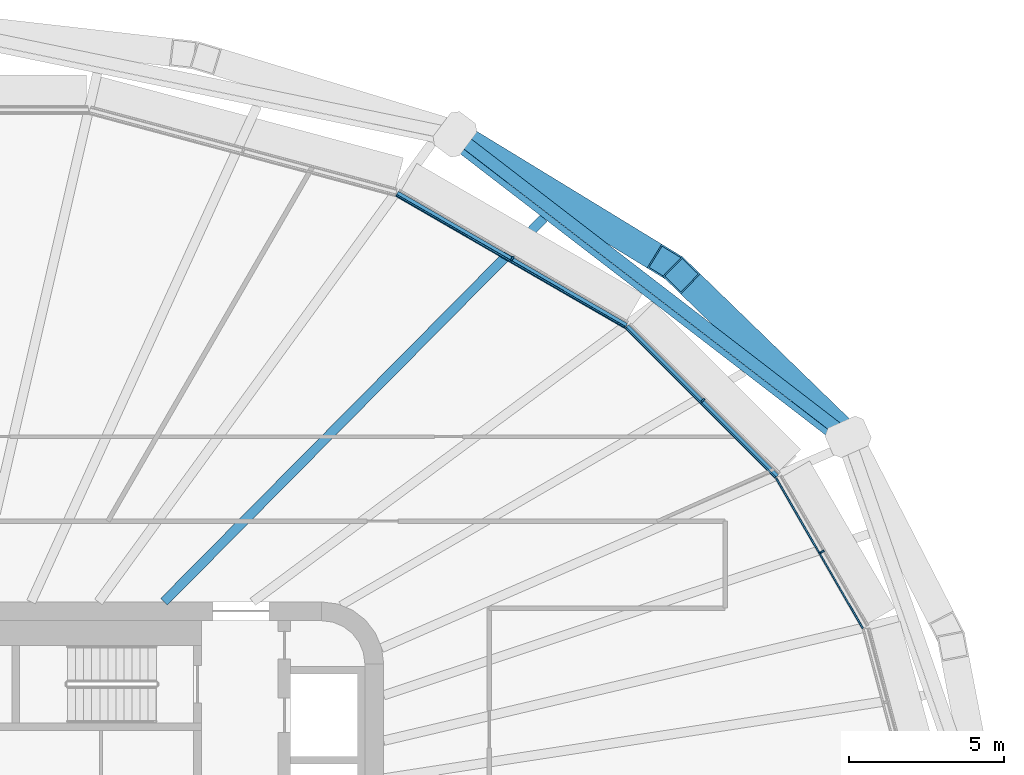
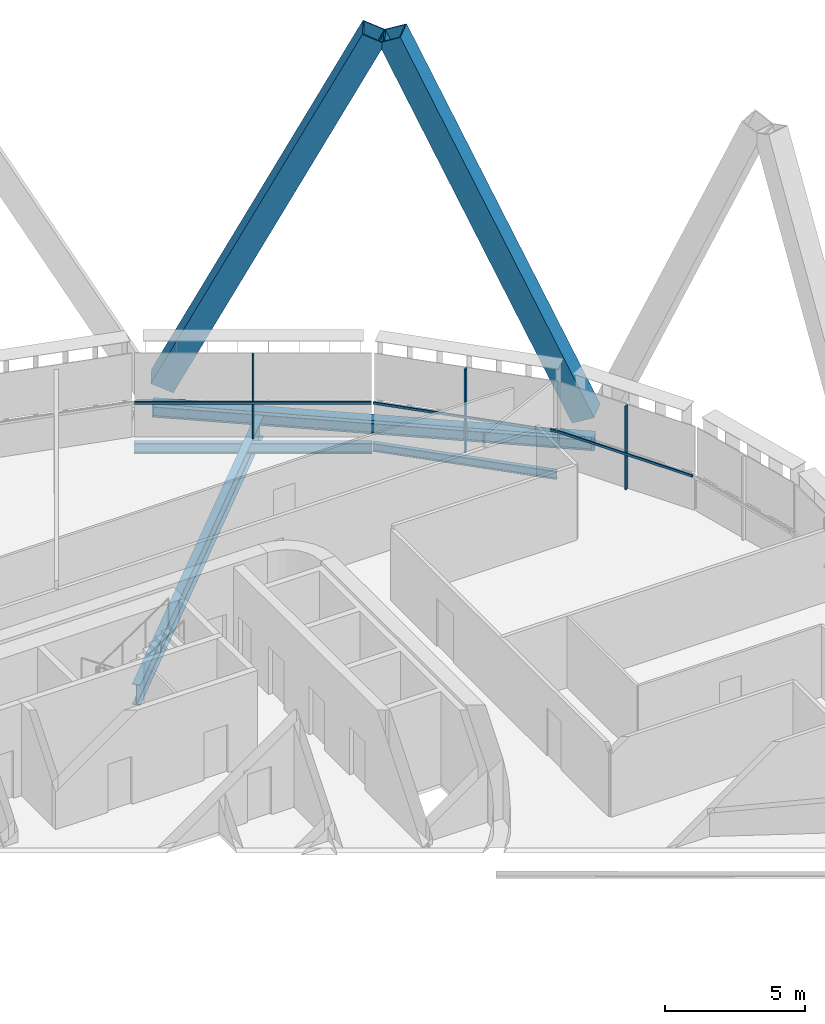
# One storey, part 10 of 25: 8 members, 5 beams, 3 elements without a shape of their own.
"""IFC4 building model written with IfcOpenShell, lengths in metres."""

from ifc_helpers import new_model, si_unit, direction, frame, origin, origin_2d, place, context, subcontext, project, spatial, rectangle, hollow_rectangle, i_section, extrude, material, layer, layer_set, material_profile, profile_set, type_object, element, aggregate, save


model = new_model("IFC4")

# Units and contexts
model_context = context("Model", 3, precision=1e-05, world=origin(), true_north=direction((0.0, 1.0)))
body_context = subcontext(model_context, "Body", "Model", "MODEL_VIEW")
ifc_project = project(units=[si_unit("LENGTHUNIT", "METRE"), si_unit("AREAUNIT", "SQUARE_METRE"), si_unit("VOLUMEUNIT", "CUBIC_METRE"), si_unit("PLANEANGLEUNIT", "RADIAN"), si_unit("MASSUNIT", "GRAM", prefix="KILO")], contexts=[model_context])

# Site, building, storey
site_placement = place(None, origin())
site = spatial("IfcSite", under=ifc_project, at=site_placement, CompositionType="ELEMENT")
building_placement = place(site_placement, origin())
building = spatial("IfcBuilding", under=site, at=building_placement, Name="Sahrelin Media Tower", CompositionType="ELEMENT")
storey_placement = place(building_placement, frame((0.0, 0.0, 114.60009765625)))
storey = spatial("IfcBuildingStorey", under=building, at=storey_placement, Name="L22", CompositionType="ELEMENT", Elevation=114.60009765625)

# Members
ifc_material_1 = material(Name="Steel S460", Category="steel")
ifc_material_profile_1 = material_profile(ifc_material_1, hollow_rectangle(XDim=0.89990234375, YDim=0.89990234375, WallThickness=0.050048828125, at=origin_2d()), Name="Diagrid diagonal DG3")
ifc_profile_set_1 = profile_set([ifc_material_profile_1], Name="Steel S460")
member_type_1 = type_object("IfcMemberType", Name="Diagrid diagonal DG3", PredefinedType="BRACE", material=ifc_profile_set_1)
member_1_placement = place(storey_placement, frame((29.72607421875, 13.5400390625, 0.699951171875), z_axis=(-0.302361826208, 0.293404554799, 0.906912946911), x_axis=(-0.696396816197, -0.717656933632, 0.0)))
element("IfcMember", 1, at=member_1_placement, inside=storey, type_object=member_type_1, Name="Diagrid diagonal D04-02", PredefinedType="BRACE", context=body_context, shape_type="SweptSolid", body=[
    extrude(hollow_rectangle(XDim=0.89990234375, YDim=0.89990234375, WallThickness=0.050048828125, at=origin_2d()), origin(), (0.0, 0.0, 1.0), 16.98046875),
])
member_2_placement = place(storey_placement, frame((17.59130859375, 22.880126953125, 0.699951171875), z_axis=(0.377075891817, -0.230216401797, 0.897114362918), x_axis=(0.521089269606, 0.853502181076, 0.0)))
element("IfcMember", 2, at=member_2_placement, inside=storey, type_object=member_type_1, Name="Diagrid diagonal D04-03", PredefinedType="BRACE", context=body_context, shape_type="SweptSolid", body=[
    extrude(hollow_rectangle(XDim=0.89990234375, YDim=0.89990234375, WallThickness=0.050048828125, at=origin_2d()), origin(), (0.0, 0.0, 1.0), 17.166015625),
])

# Beams
ifc_material_profile_2 = material_profile(ifc_material_1, hollow_rectangle(XDim=0.39990234375, YDim=0.60009765625, WallThickness=0.030029296875, at=origin_2d()), Name="Diagrid ring beam RB1")
ifc_profile_set_2 = profile_set([ifc_material_profile_2], Name="Steel S460")
beam_type_1 = type_object("IfcBeamType", Name="Diagrid ring beam RB1", PredefinedType="BEAM", material=ifc_profile_set_2)
beam_1_placement = place(storey_placement, frame((29.95947265625, 13.313720703125, -0.4501953125), z_axis=(-0.792447877792, 0.609939637163, 0.0), x_axis=(-0.609939637163, -0.792447877792, 0.0)))
element("IfcBeam", 3, at=beam_1_placement, inside=storey, type_object=beam_type_1, Name="Diagrid ring beam RB04-01", PredefinedType="BEAM", context=body_context, shape_type="SweptSolid", body=[
    extrude(hollow_rectangle(XDim=0.39990234375, YDim=0.60009765625, WallThickness=0.030029296875, at=origin_2d()), origin(), (0.0, 0.0, 1.0), 15.978759765625),
])
ifc_material_2 = material(Name="Steel S355", Category="steel")
ifc_material_profile_3 = material_profile(ifc_material_2, i_section(OverallWidth=0.17138671875, OverallDepth=0.35498046875, WebThickness=0.00732421875, FlangeThickness=0.011474609375, FilletRadius=0.01025390625, at=origin_2d()), Name="UB 356x171x51")
ifc_profile_set_3 = profile_set([ifc_material_profile_3], Name="Steel S355")
beam_type_2 = type_object("IfcBeamType", Name="Edge beam EB3", PredefinedType="BEAM", material=ifc_profile_set_3)
beam_2_placement = place(storey_placement, frame((22.829345703125, 16.8642578125, -0.32763671875), z_axis=(0.707106781187, -0.707106781187, 0.0), x_axis=(0.707106781187, 0.707106781187, 0.0)))
element("IfcBeam", 4, at=beam_2_placement, inside=storey, type_object=beam_type_2, Name="Edge beam L22-22", PredefinedType="BEAM", context=body_context, shape_type="SweptSolid", body=[
    extrude(i_section(OverallWidth=0.17138671875, OverallDepth=0.35498046875, WebThickness=0.00732421875, FlangeThickness=0.011474609375, FilletRadius=0.01025390625, at=origin_2d()), origin(), (0.0, 0.0, 1.0), 6.82666015625),
])
ifc_material_profile_4 = material_profile(ifc_material_2, i_section(OverallWidth=0.1904296875, OverallDepth=0.45703125, WebThickness=0.009033203125, FlangeThickness=0.014404296875, FilletRadius=0.01025390625, at=origin_2d()), Name="UB 457x191x74")
ifc_profile_set_4 = profile_set([ifc_material_profile_4], Name="Steel S355")
beam_type_3 = type_object("IfcBeamType", Name="Edge beam EB5", PredefinedType="BEAM", material=ifc_profile_set_4)
beam_3_placement = place(storey_placement, frame((15.4248046875, 21.143798828125, -0.378662109375), z_axis=(0.866015300231, -0.500017499459, 0.0), x_axis=(0.500017499459, 0.866015300231, 0.0)))
element("IfcBeam", 5, at=beam_3_placement, inside=storey, type_object=beam_type_3, Name="Edge beam L22-21", PredefinedType="BEAM", context=body_context, shape_type="SweptSolid", body=[
    extrude(i_section(OverallWidth=0.1904296875, OverallDepth=0.45703125, WebThickness=0.009033203125, FlangeThickness=0.014404296875, FilletRadius=0.01025390625, at=origin_2d()), origin(), (0.0, 0.0, 1.0), 8.523681640625),
])

# Curtain wall, member
ifc_material_3 = material(Name="Champagne anodised aluminium 6063-T6", Category="aluminium")
ifc_layer = layer(ifc_material_3, 0.14990234375)
ifc_layer_set = layer_set([ifc_layer], Name="Tower ribbon curtain wall")
curtain_wall_type = type_object("IfcCurtainWallType", Name="Tower ribbon curtain wall", PredefinedType="NOTDEFINED", material=ifc_layer_set)
curtain_wall_1_placement = place(storey_placement, frame((29.20556640625, 9.6611328125, 0.0), z_axis=(0.0, 0.0, 1.0), x_axis=(1.0, 0.0, 0.0)))
curtain_wall_1 = element("IfcCurtainWall", 6, at=curtain_wall_1_placement, inside=storey, type_object=curtain_wall_type, Name="L22:CW:L22-02", PredefinedType="NOTDEFINED")
ifc_material_profile_5 = material_profile(ifc_material_3, rectangle(XDim=0.06005859375, YDim=0.14990234375, at=origin_2d()), Name="Mullion 60x150")
ifc_profile_set_5 = profile_set([ifc_material_profile_5], Name="Champagne anodised aluminium 6063-T6")
member_type_2 = type_object("IfcMemberType", Name="Mullion 60x150 CW1", PredefinedType="MULLION", material=ifc_profile_set_5)
member_3_placement = place(storey_placement, frame((29.123291015625, 9.61376953125, 0.0), z_axis=(0.0, 0.0, 1.0), x_axis=(-0.499990930976, 0.866030639725, 0.0)))
member_3 = element("IfcMember", 7, at=member_3_placement, type_object=member_type_2, Name="L22:CWM:L22-02", PredefinedType="MULLION", context=body_context, shape_type="SweptSolid", body=[
    extrude(rectangle(XDim=0.06005859375, YDim=0.14990234375, at=origin_2d()), origin(), (0.0, 0.0, 1.0), 3.6484375),
])

curtain_wall_2_placement = place(storey_placement, frame((25.34912109375, 14.556884765625, 0.0), z_axis=(0.0, 0.0, 1.0), x_axis=(1.0, 0.0, 0.0)))
curtain_wall_2 = element("IfcCurtainWall", 8, at=curtain_wall_2_placement, inside=storey, type_object=curtain_wall_type, Name="L22:CW:L22-03", PredefinedType="NOTDEFINED")
member_4_placement = place(storey_placement, frame((25.28173828125, 14.489501953125, 0.0), z_axis=(0.0, 0.0, 1.0), x_axis=(-0.707099376343, 0.707114185953, 0.0)))
member_4 = element("IfcMember", 9, at=member_4_placement, type_object=member_type_2, Name="L22:CWM:L22-03", PredefinedType="MULLION", context=body_context, shape_type="SweptSolid", body=[
    extrude(rectangle(XDim=0.06005859375, YDim=0.14990234375, at=origin_2d()), origin(), (0.0, 0.0, 1.0), 3.6484375),
])

curtain_wall_3_placement = place(storey_placement, frame((19.190673828125, 19.142578125, 0.0), z_axis=(0.0, 0.0, 1.0), x_axis=(1.0, 0.0, 0.0)))
curtain_wall_3 = element("IfcCurtainWall", 10, at=curtain_wall_3_placement, inside=storey, type_object=curtain_wall_type, Name="L22:CW:L22-04", PredefinedType="NOTDEFINED")
member_5_placement = place(storey_placement, frame((19.143310546875, 19.060302734375, 0.0), z_axis=(0.0, 0.0, 1.0), x_axis=(-0.866026276448, 0.4999984885, 0.0)))
member_5 = element("IfcMember", 11, at=member_5_placement, type_object=member_type_2, Name="L22:CWM:L22-04", PredefinedType="MULLION", context=body_context, shape_type="SweptSolid", body=[
    extrude(rectangle(XDim=0.06005859375, YDim=0.14990234375, at=origin_2d()), origin(), (0.0, 0.0, 1.0), 3.6484375),
])

# Beams
ifc_material_profile_6 = material_profile(ifc_material_2, i_section(OverallWidth=0.30322265625, OverallDepth=0.903076171875, WebThickness=0.01513671875, FlangeThickness=0.020263671875, FilletRadius=0.01904296875, at=origin_2d()), Name="UB 914x305x201")
ifc_profile_set_6 = profile_set([ifc_material_profile_6], Name="Steel S355")
beam_type_4 = type_object("IfcBeamType", Name="Radial secondary beam SB11", PredefinedType="BEAM", material=ifc_profile_set_6)
beam_4_placement = place(storey_placement, frame((7.921630859375, 8.0, -0.6015625), z_axis=(0.703616835697, 0.71057958634, 0.0), x_axis=(-0.71057958634, 0.703616835697, 0.0)))
element("IfcBeam", 12, at=beam_4_placement, inside=storey, type_object=beam_type_4, Name="Secondary beam L22-04", PredefinedType="BEAM", context=body_context, shape_type="SweptSolid", body=[
    extrude(i_section(OverallWidth=0.30322265625, OverallDepth=0.903076171875, WebThickness=0.01513671875, FlangeThickness=0.020263671875, FilletRadius=0.01904296875, at=origin_2d()), origin(), (0.0, 0.0, 1.0), 17.3916015625),
])
ifc_material_profile_7 = material_profile(ifc_material_2, i_section(OverallWidth=0.1904296875, OverallDepth=0.45703125, WebThickness=0.009033203125, FlangeThickness=0.014404296875, FilletRadius=0.01025390625, at=origin_2d()), Name="UB 457x191x74")
ifc_profile_set_7 = profile_set([ifc_material_profile_7], Name="Steel S355")
beam_type_5 = type_object("IfcBeamType", Name="Tie chord TC5", PredefinedType="BEAM", material=ifc_profile_set_7)
beam_5_placement = place(storey_placement, frame((17.168701171875, 22.77978515625, -0.378662109375), z_axis=(0.79244496404, -0.60994342276, 0.0), x_axis=(0.60994342276, 0.79244496404, 0.0)))
element("IfcBeam", 13, at=beam_5_placement, inside=storey, type_object=beam_type_5, Name="Tie chord L22-11", PredefinedType="BEAM", context=body_context, shape_type="SweptSolid", body=[
    extrude(i_section(OverallWidth=0.1904296875, OverallDepth=0.45703125, WebThickness=0.009033203125, FlangeThickness=0.014404296875, FilletRadius=0.01025390625, at=origin_2d()), origin(), (0.0, 0.0, 1.0), 15.820068359375),
])

# Member
ifc_material_profile_8 = material_profile(ifc_material_3, rectangle(XDim=0.050048828125, YDim=0.10009765625, at=origin_2d()), Name="Transom 50x100")
ifc_profile_set_8 = profile_set([ifc_material_profile_8], Name="Champagne anodised aluminium 6063-T6")
member_type_3 = type_object("IfcMemberType", Name="Transom 50x100 CW1", PredefinedType="USERDEFINED", material=ifc_profile_set_8)
member_6_placement = place(storey_placement, frame((30.4306640625, 7.1494140625, 1.599853515625), z_axis=(-0.499986503906, 0.866033195618, 0.0), x_axis=(-0.866033195618, -0.499986503906, 0.0)))
member_6 = element("IfcMember", 14, at=member_6_placement, type_object=member_type_3, Name="L22:CWT:L22-02", ObjectType="TRANSOM", PredefinedType="USERDEFINED", context=body_context, shape_type="SweptSolid", body=[
    extrude(rectangle(XDim=0.050048828125, YDim=0.10009765625, at=origin_2d()), origin(), (0.0, 0.0, 1.0), 5.575927734375),
])

aggregate(curtain_wall_1, [member_3, member_6])

member_7_placement = place(storey_placement, frame((27.613525390625, 12.0166015625, 1.599853515625), z_axis=(-0.707124745613, 0.707088816303, 0.0), x_axis=(-0.707088816303, -0.707124745613, 0.0)))
member_7 = element("IfcMember", 15, at=member_7_placement, type_object=member_type_3, Name="L22:CWT:L22-03", ObjectType="TRANSOM", PredefinedType="USERDEFINED", context=body_context, shape_type="SweptSolid", body=[
    extrude(rectangle(XDim=0.050048828125, YDim=0.10009765625, at=origin_2d()), origin(), (0.0, 0.0, 1.0), 6.794921875),
])

aggregate(curtain_wall_2, [member_4, member_7])

member_8_placement = place(storey_placement, frame((22.7705078125, 16.8505859375, 1.599853515625), z_axis=(-0.866026642527, 0.499997854429, 0.0), x_axis=(-0.499997854429, -0.866026642527, 0.0)))
member_8 = element("IfcMember", 16, at=member_8_placement, type_object=member_type_3, Name="L22:CWT:L22-04", ObjectType="TRANSOM", PredefinedType="USERDEFINED", context=body_context, shape_type="SweptSolid", body=[
    extrude(rectangle(XDim=0.050048828125, YDim=0.10009765625, at=origin_2d()), origin(), (0.0, 0.0, 1.0), 8.4921875),
])

aggregate(curtain_wall_3, [member_5, member_8])

save(model, "model.ifc")
